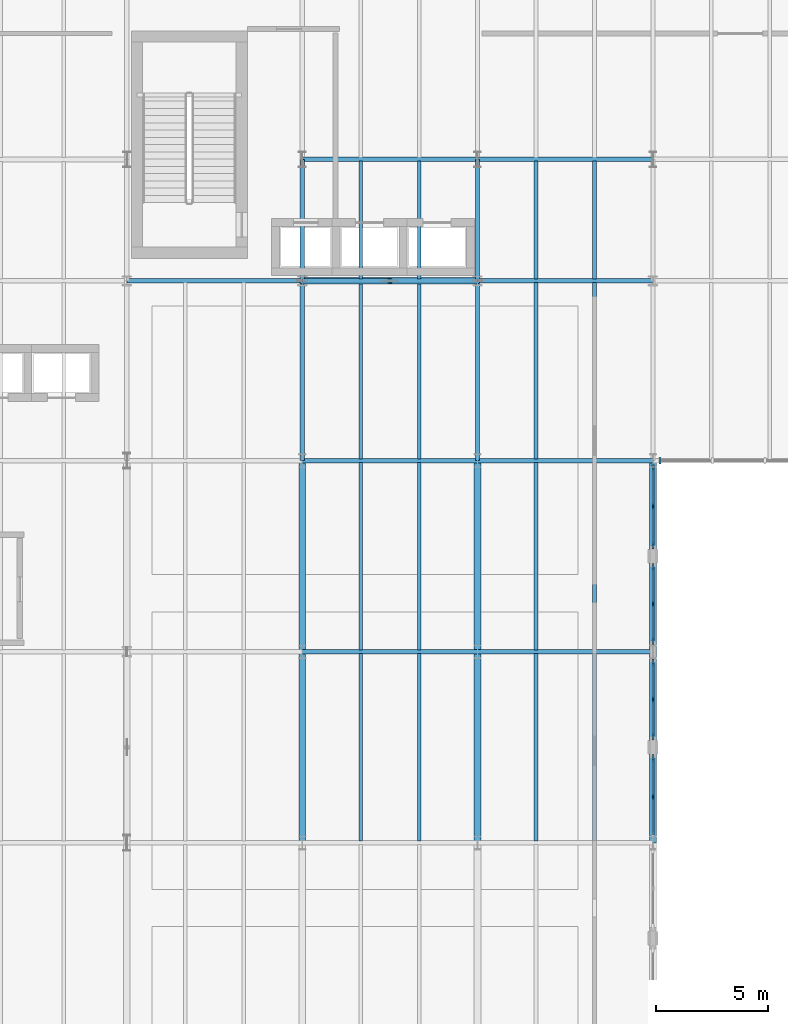
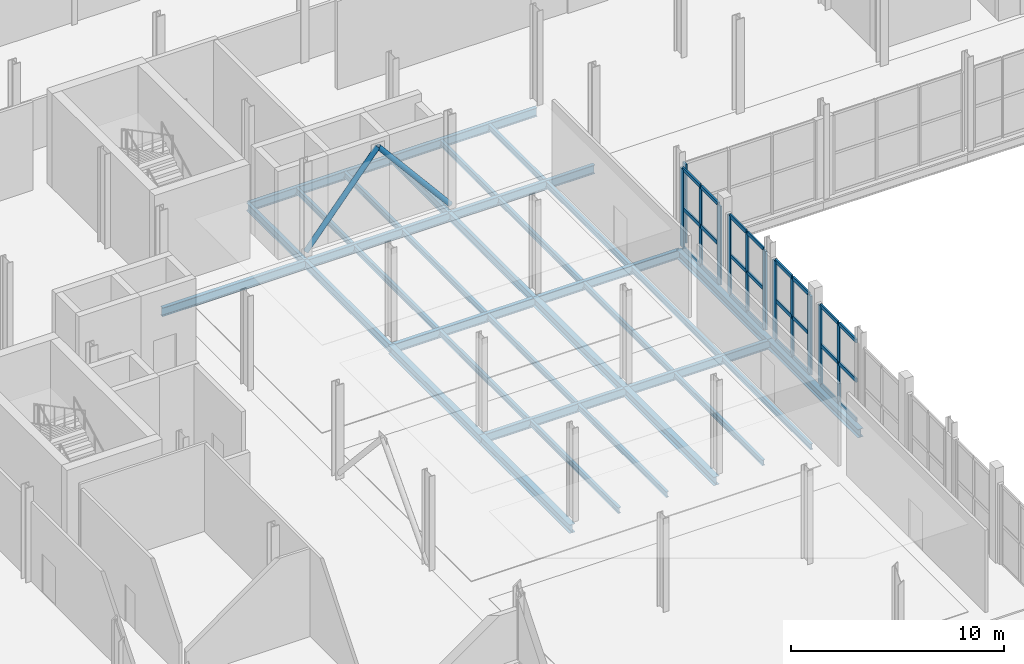
# One storey, part 25 of 78: 38 members, 35 beams, 5 elements without a shape of their own.
"""IFC4 building model written with IfcOpenShell, lengths in metres."""

from ifc_helpers import new_model, si_unit, direction, frame, origin, origin_2d, place, context, subcontext, project, spatial, rectangle, hollow_circle, i_section, extrude, material, layer, layer_set, material_profile, profile_set, type_object, element, aggregate, save


model = new_model("IFC4")

# Units and contexts
model_context = context("Model", 3, precision=1e-05, world=origin(), true_north=direction((0.0, 1.0)))
body_context = subcontext(model_context, "Body", "Model", "MODEL_VIEW")
ifc_project = project(units=[si_unit("LENGTHUNIT", "METRE"), si_unit("AREAUNIT", "SQUARE_METRE"), si_unit("VOLUMEUNIT", "CUBIC_METRE"), si_unit("PLANEANGLEUNIT", "RADIAN"), si_unit("MASSUNIT", "GRAM", prefix="KILO")], contexts=[model_context])

# Site, building, storey
site_placement = place(None, origin())
site = spatial("IfcSite", under=ifc_project, at=site_placement, CompositionType="ELEMENT")
building_placement = place(site_placement, origin())
building = spatial("IfcBuilding", under=site, at=building_placement, Name="Sefraquen Railside Congress Hotel", CompositionType="ELEMENT")
storey_placement = place(building_placement, frame((0.0, 0.0, 6.0)))
storey = spatial("IfcBuildingStorey", under=building, at=storey_placement, Name="L01", CompositionType="ELEMENT", Elevation=6.0)

# Beams
ifc_material_1 = material(Name="Steel S355JR", Category="steel")
ifc_material_profile_1 = material_profile(ifc_material_1, i_section(OverallWidth=0.18994140625, OverallDepth=0.449951171875, WebThickness=0.009521484375, FlangeThickness=0.0146484375, FilletRadius=0.02099609375, at=origin_2d()), Name="IPE 450")
ifc_profile_set_1 = profile_set([ifc_material_profile_1], Name="Steel S355JR")
beam_type_1 = type_object("IfcBeamType", Name="TB-BM-450", PredefinedType="BEAM", material=ifc_profile_set_1)
beam_1_placement = place(storey_placement, frame((33.0, 88.0, -0.52490234375), z_axis=(0.0, 1.0, 0.0), x_axis=(-1.0, 0.0, 0.0)))
element("IfcBeam", 1, at=beam_1_placement, inside=storey, type_object=beam_type_1, Name="Floor beam BM-L01-0544", PredefinedType="BEAM", context=body_context, shape_type="SweptSolid", body=[
    extrude(i_section(OverallWidth=0.18994140625, OverallDepth=0.449951171875, WebThickness=0.009521484375, FlangeThickness=0.0146484375, FilletRadius=0.02099609375, at=origin_2d()), origin(), (0.0, 0.0, 1.0), 8.0),
])
beam_2_placement = place(storey_placement, frame((33.0, 96.0, -0.52490234375), z_axis=(0.0, 1.0, 0.0), x_axis=(-1.0, 0.0, 0.0)))
element("IfcBeam", 2, at=beam_2_placement, inside=storey, type_object=beam_type_1, Name="Floor beam BM-L01-0545", PredefinedType="BEAM", context=body_context, shape_type="SweptSolid", body=[
    extrude(i_section(OverallWidth=0.18994140625, OverallDepth=0.449951171875, WebThickness=0.009521484375, FlangeThickness=0.0146484375, FilletRadius=0.02099609375, at=origin_2d()), origin(), (0.0, 0.0, 1.0), 5.39990234375),
])
beam_3_placement = place(storey_placement, frame((40.800048828125, 88.0, -0.52490234375), z_axis=(0.0, 1.0, 0.0), x_axis=(-1.0, 0.0, 0.0)))
element("IfcBeam", 3, at=beam_3_placement, inside=storey, type_object=beam_type_1, Name="Floor beam BM-L01-0555", PredefinedType="BEAM", context=body_context, shape_type="SweptSolid", body=[
    extrude(i_section(OverallWidth=0.18994140625, OverallDepth=0.449951171875, WebThickness=0.009521484375, FlangeThickness=0.0146484375, FilletRadius=0.02099609375, at=origin_2d()), origin(), (0.0, 0.0, 1.0), 8.0),
])
beam_4_placement = place(storey_placement, frame((40.800048828125, 96.0, -0.52490234375), z_axis=(0.0, 1.0, 0.0), x_axis=(-1.0, 0.0, 0.0)))
element("IfcBeam", 4, at=beam_4_placement, inside=storey, type_object=beam_type_1, Name="Floor beam BM-L01-0556", PredefinedType="BEAM", context=body_context, shape_type="SweptSolid", body=[
    extrude(i_section(OverallWidth=0.18994140625, OverallDepth=0.449951171875, WebThickness=0.009521484375, FlangeThickness=0.0146484375, FilletRadius=0.02099609375, at=origin_2d()), origin(), (0.0, 0.0, 1.0), 5.39990234375),
])
ifc_material_profile_2 = material_profile(ifc_material_1, i_section(OverallWidth=0.199951171875, OverallDepth=0.5, WebThickness=0.01025390625, FlangeThickness=0.01611328125, FilletRadius=0.02099609375, at=origin_2d()), Name="IPE 500")
ifc_profile_set_2 = profile_set([ifc_material_profile_2], Name="Steel S355JR")
beam_type_2 = type_object("IfcBeamType", Name="TB-BM-500", PredefinedType="BEAM", material=ifc_profile_set_2)
for number, where, z_axis, x_axis, name in (
    (5, (33.0, 79.5, -0.550048828125), (1.0, 0.0, 0.0), (0.0, 1.0, 0.0), "Primary girder BM-L01-0430"),
    (6, (40.800048828125, 79.5, -0.550048828125), (1.0, 0.0, 0.0), (0.0, 1.0, 0.0), "Primary girder BM-L01-0431"),
    (7, (33.0, 88.0, -0.550048828125), (1.0, 0.0, 0.0), (0.0, 1.0, 0.0), "Primary girder BM-L01-0437"),
    (8, (40.800048828125, 88.0, -0.550048828125), (1.0, 0.0, 0.0), (0.0, 1.0, 0.0), "Primary girder BM-L01-0438"),
    (9, (25.199951171875, 96.0, -0.550048828125), (1.0, 0.0, 0.0), (0.0, 1.0, 0.0), "Primary girder BM-L01-0451"),
    (10, (33.0, 96.0, -0.550048828125), (1.0, 0.0, 0.0), (0.0, 1.0, 0.0), "Primary girder BM-L01-0452"),
    (11, (40.800048828125, 96.0, -0.550048828125), (1.0, 0.0, 0.0), (0.0, 1.0, 0.0), "Primary girder BM-L01-0453"),
    (12, (33.0, 101.39990234375, -0.550048828125), (1.0, 0.0, 0.0), (0.0, 1.0, 0.0), "Primary girder BM-L01-0471"),
    (13, (40.800048828125, 101.39990234375, -0.550048828125), (1.0, 0.0, 0.0), (0.0, 1.0, 0.0), "Primary girder BM-L01-0472"),
):
    element("IfcBeam", number, at=place(storey_placement, frame(where, z_axis=z_axis, x_axis=x_axis)), inside=storey, type_object=beam_type_2, Name=name, PredefinedType="BEAM", context=body_context, shape_type="SweptSolid", body=[
        extrude(i_section(OverallWidth=0.199951171875, OverallDepth=0.5, WebThickness=0.01025390625, FlangeThickness=0.01611328125, FilletRadius=0.02099609375, at=origin_2d()), origin(), (0.0, 0.0, 1.0), 7.800048828125),
    ])
ifc_material_profile_3 = material_profile(ifc_material_1, i_section(OverallWidth=0.300048828125, OverallDepth=0.489990234375, WebThickness=0.011962890625, FlangeThickness=0.02294921875, FilletRadius=0.027099609375, at=origin_2d()), Name="HEA 500")
ifc_profile_set_3 = profile_set([ifc_material_profile_3], Name="Steel S355JR")
beam_type_3 = type_object("IfcBeamType", Name="TB-GIR-500", PredefinedType="T_BEAM", material=ifc_profile_set_3)
for number, where, z_axis, x_axis, name in (
    (14, (33.0, 71.0, -0.544921875), (0.0, 1.0, 0.0), (-1.0, 0.0, 0.0), "Floor beam BM-L01-0542"),
    (15, (33.0, 79.5, -0.544921875), (0.0, 1.0, 0.0), (-1.0, 0.0, 0.0), "Floor beam BM-L01-0543"),
    (16, (40.800048828125, 71.0, -0.544921875), (0.0, 1.0, 0.0), (-1.0, 0.0, 0.0), "Floor beam BM-L01-0553"),
    (17, (40.800048828125, 79.5, -0.544921875), (0.0, 1.0, 0.0), (-1.0, 0.0, 0.0), "Floor beam BM-L01-0554"),
    (18, (48.60009765625, 71.0, -0.544921875), (0.0, 1.0, 0.0), (-1.0, 0.0, 0.0), "Floor beam BM-L01-0562"),
    (19, (48.60009765625, 79.5, -0.544921875), (0.0, 1.0, 0.0), (-1.0, 0.0, 0.0), "Floor beam BM-L01-0563"),
):
    element("IfcBeam", number, at=place(storey_placement, frame(where, z_axis=z_axis, x_axis=x_axis)), inside=storey, type_object=beam_type_3, Name=name, PredefinedType="T_BEAM", context=body_context, shape_type="SweptSolid", body=[
        extrude(i_section(OverallWidth=0.300048828125, OverallDepth=0.489990234375, WebThickness=0.011962890625, FlangeThickness=0.02294921875, FilletRadius=0.027099609375, at=origin_2d()), origin(), (0.0, 0.0, 1.0), 8.5),
    ])
ifc_material_profile_4 = material_profile(ifc_material_1, i_section(OverallWidth=0.159912109375, OverallDepth=0.330078125, WebThickness=0.007568359375, FlangeThickness=0.011474609375, FilletRadius=0.01806640625, at=origin_2d()), Name="IPE 330")
ifc_profile_set_4 = profile_set([ifc_material_profile_4], Name="Steel S355JR")
beam_type_4 = type_object("IfcBeamType", Name="TB-JST-330", PredefinedType="JOIST", material=ifc_profile_set_4)
for number, where, z_axis, x_axis, name in (
    (20, (35.60009765625, 71.080078125, -0.465087890625), (0.0, 1.0, 0.0), (-1.0, 0.0, 0.0), "Composite floor joist BM-L01-J0256"),
    (21, (38.199951171875, 71.080078125, -0.465087890625), (0.0, 1.0, 0.0), (-1.0, 0.0, 0.0), "Composite floor joist BM-L01-J0257"),
    (22, (35.60009765625, 79.580078125, -0.465087890625), (0.0, 1.0, 0.0), (-1.0, 0.0, 0.0), "Composite floor joist BM-L01-J0258"),
    (23, (38.199951171875, 79.580078125, -0.465087890625), (0.0, 1.0, 0.0), (-1.0, 0.0, 0.0), "Composite floor joist BM-L01-J0259"),
):
    element("IfcBeam", number, at=place(storey_placement, frame(where, z_axis=z_axis, x_axis=x_axis)), inside=storey, type_object=beam_type_4, Name=name, PredefinedType="JOIST", context=body_context, shape_type="SweptSolid", body=[
        extrude(i_section(OverallWidth=0.159912109375, OverallDepth=0.330078125, WebThickness=0.007568359375, FlangeThickness=0.011474609375, FilletRadius=0.01806640625, at=origin_2d()), origin(), (0.0, 0.0, 1.0), 8.33984375),
    ])
for number, where, z_axis, x_axis, name in (
    (24, (35.60009765625, 88.080078125, -0.465087890625), (0.0, 1.0, 0.0), (-1.0, 0.0, 0.0), "Composite floor joist BM-L01-J0260"),
    (25, (38.199951171875, 88.080078125, -0.465087890625), (0.0, 1.0, 0.0), (-1.0, 0.0, 0.0), "Composite floor joist BM-L01-J0261"),
):
    element("IfcBeam", number, at=place(storey_placement, frame(where, z_axis=z_axis, x_axis=x_axis)), inside=storey, type_object=beam_type_4, Name=name, PredefinedType="JOIST", context=body_context, shape_type="SweptSolid", body=[
        extrude(i_section(OverallWidth=0.159912109375, OverallDepth=0.330078125, WebThickness=0.007568359375, FlangeThickness=0.011474609375, FilletRadius=0.01806640625, at=origin_2d()), origin(), (0.0, 0.0, 1.0), 7.83984375),
    ])
for number, where, z_axis, x_axis, name in (
    (26, (35.60009765625, 96.080078125, -0.465087890625), (0.0, 1.0, 0.0), (-1.0, 0.0, 0.0), "Composite floor joist BM-L01-J0262"),
    (27, (38.199951171875, 96.080078125, -0.465087890625), (0.0, 1.0, 0.0), (-1.0, 0.0, 0.0), "Composite floor joist BM-L01-J0263"),
):
    element("IfcBeam", number, at=place(storey_placement, frame(where, z_axis=z_axis, x_axis=x_axis)), inside=storey, type_object=beam_type_4, Name=name, PredefinedType="JOIST", context=body_context, shape_type="SweptSolid", body=[
        extrude(i_section(OverallWidth=0.159912109375, OverallDepth=0.330078125, WebThickness=0.007568359375, FlangeThickness=0.011474609375, FilletRadius=0.01806640625, at=origin_2d()), origin(), (0.0, 0.0, 1.0), 5.239990234375),
    ])
for number, where, z_axis, x_axis, name in (
    (28, (43.39990234375, 71.080078125, -0.465087890625), (0.0, 1.0, 0.0), (-1.0, 0.0, 0.0), "Composite floor joist BM-L01-J0274"),
    (29, (46.0, 71.080078125, -0.465087890625), (0.0, 1.0, 0.0), (-1.0, 0.0, 0.0), "Composite floor joist BM-L01-J0275"),
    (30, (43.39990234375, 79.580078125, -0.465087890625), (0.0, 1.0, 0.0), (-1.0, 0.0, 0.0), "Composite floor joist BM-L01-J0276"),
    (31, (46.0, 79.580078125, -0.465087890625), (0.0, 1.0, 0.0), (-1.0, 0.0, 0.0), "Composite floor joist BM-L01-J0277"),
):
    element("IfcBeam", number, at=place(storey_placement, frame(where, z_axis=z_axis, x_axis=x_axis)), inside=storey, type_object=beam_type_4, Name=name, PredefinedType="JOIST", context=body_context, shape_type="SweptSolid", body=[
        extrude(i_section(OverallWidth=0.159912109375, OverallDepth=0.330078125, WebThickness=0.007568359375, FlangeThickness=0.011474609375, FilletRadius=0.01806640625, at=origin_2d()), origin(), (0.0, 0.0, 1.0), 8.33984375),
    ])
for number, where, z_axis, x_axis, name in (
    (32, (43.39990234375, 88.080078125, -0.465087890625), (0.0, 1.0, 0.0), (-1.0, 0.0, 0.0), "Composite floor joist BM-L01-J0278"),
    (33, (46.0, 88.080078125, -0.465087890625), (0.0, 1.0, 0.0), (-1.0, 0.0, 0.0), "Composite floor joist BM-L01-J0279"),
):
    element("IfcBeam", number, at=place(storey_placement, frame(where, z_axis=z_axis, x_axis=x_axis)), inside=storey, type_object=beam_type_4, Name=name, PredefinedType="JOIST", context=body_context, shape_type="SweptSolid", body=[
        extrude(i_section(OverallWidth=0.159912109375, OverallDepth=0.330078125, WebThickness=0.007568359375, FlangeThickness=0.011474609375, FilletRadius=0.01806640625, at=origin_2d()), origin(), (0.0, 0.0, 1.0), 7.83984375),
    ])
for number, where, z_axis, x_axis, name in (
    (34, (43.39990234375, 96.080078125, -0.465087890625), (0.0, 1.0, 0.0), (-1.0, 0.0, 0.0), "Composite floor joist BM-L01-J0280"),
    (35, (46.0, 96.080078125, -0.465087890625), (0.0, 1.0, 0.0), (-1.0, 0.0, 0.0), "Composite floor joist BM-L01-J0281"),
):
    element("IfcBeam", number, at=place(storey_placement, frame(where, z_axis=z_axis, x_axis=x_axis)), inside=storey, type_object=beam_type_4, Name=name, PredefinedType="JOIST", context=body_context, shape_type="SweptSolid", body=[
        extrude(i_section(OverallWidth=0.159912109375, OverallDepth=0.330078125, WebThickness=0.007568359375, FlangeThickness=0.011474609375, FilletRadius=0.01806640625, at=origin_2d()), origin(), (0.0, 0.0, 1.0), 5.239990234375),
    ])

# Members
ifc_material_2 = material(Name="Steel S355J2", Category="steel")
ifc_material_profile_5 = material_profile(ifc_material_2, hollow_circle(Radius=0.136474609375, WallThickness=0.012451171875, at=origin_2d()), Name="CHS 273x12.5")
ifc_profile_set_5 = profile_set([ifc_material_profile_5], Name="Steel S355J2")
member_type_1 = type_object("IfcMemberType", Name="TM-BR-273", PredefinedType="BRACE", material=ifc_profile_set_5)
for number, where, z_axis, x_axis, name in (
    (36, (33.0, 96.0, 0.14990234375), (0.642590931673, 0.0, 0.766209432552), (0.0, 1.0, 0.0), "Chevron braced-frame diagonal BF1-L L01"),
    (37, (40.800048828125, 96.0, 0.14990234375), (-0.642614547277, 0.0, 0.766189626416), (0.0, -1.0, 0.0), "Chevron braced-frame diagonal BF1-R L01"),
):
    element("IfcMember", number, at=place(storey_placement, frame(where, z_axis=z_axis, x_axis=x_axis)), inside=storey, type_object=member_type_1, Name=name, PredefinedType="BRACE", context=body_context, shape_type="SweptSolid", body=[
        extrude(hollow_circle(Radius=0.136474609375, WallThickness=0.012451171875, at=origin_2d()), origin(), (0.0, 0.0, 1.0), 6.069091796875),
    ])

# Curtain wall, member
ifc_material_3 = material(Name="Thermally broken anodised aluminium and low-E double glazing", Category="aluminium")
ifc_layer_1 = layer(ifc_material_3, 0.199951171875)
ifc_layer_set_1 = layer_set([ifc_layer_1], Name="Thermally broken anodised aluminium and low-E double glazing")
curtain_wall_type_1 = type_object("IfcCurtainWallType", Name="TCW-UCW-15", PredefinedType="USERDEFINED", material=ifc_layer_set_1)
curtain_wall_1_placement = place(storey_placement, origin())
curtain_wall_1 = element("IfcCurtainWall", 38, at=curtain_wall_1_placement, inside=storey, type_object=curtain_wall_type_1, Name="Courtyard west gallery curtain wall L01", ObjectType="UNITISED CURTAIN WALL", PredefinedType="USERDEFINED")
ifc_material_4 = material(Name="Thermally broken anodised aluminium 6063-T6", Category="aluminium")
ifc_material_profile_6 = material_profile(ifc_material_4, rectangle(XDim=0.080078125, YDim=0.239990234375, at=origin_2d()), Name="CWM 80x240")
ifc_profile_set_6 = profile_set([ifc_material_profile_6], Name="Thermally broken anodised aluminium 6063-T6")
member_type_2 = type_object("IfcMemberType", Name="TM-CWM-05", PredefinedType="MULLION", material=ifc_profile_set_6)
member_1_placement = place(storey_placement, frame((48.60009765625, 73.0400390625, 0.0), z_axis=(0.0, 0.0, 1.0), x_axis=(1.0, 0.0, 0.0)))
member_1 = element("IfcMember", 39, at=member_1_placement, type_object=member_type_2, Name="CW-L01-047 mullion 2", PredefinedType="MULLION", context=body_context, shape_type="SweptSolid", body=[
    extrude(rectangle(XDim=0.080078125, YDim=0.239990234375, at=origin_2d()), origin(), (0.0, 0.0, 1.0), 4.5),
])

curtain_wall_2_placement = place(storey_placement, origin())
curtain_wall_2 = element("IfcCurtainWall", 40, at=curtain_wall_2_placement, inside=storey, type_object=curtain_wall_type_1, Name="Courtyard west gallery curtain wall L01 bay 2", ObjectType="UNITISED CURTAIN WALL", PredefinedType="USERDEFINED")
member_2_placement = place(storey_placement, frame((48.60009765625, 77.375, 0.0), z_axis=(0.0, 0.0, 1.0), x_axis=(1.0, 0.0, 0.0)))
member_2 = element("IfcMember", 41, at=member_2_placement, type_object=member_type_2, Name="CW-L01-047-S2 mullion 2", PredefinedType="MULLION", context=body_context, shape_type="SweptSolid", body=[
    extrude(rectangle(XDim=0.080078125, YDim=0.239990234375, at=origin_2d()), origin(), (0.0, 0.0, 1.0), 4.5),
])

curtain_wall_3_placement = place(storey_placement, origin())
curtain_wall_3 = element("IfcCurtainWall", 42, at=curtain_wall_3_placement, inside=storey, type_object=curtain_wall_type_1, Name="Courtyard west gallery curtain wall L01 bay 3", ObjectType="UNITISED CURTAIN WALL", PredefinedType="USERDEFINED")
member_3_placement = place(storey_placement, frame((48.60009765625, 81.625, 0.0), z_axis=(0.0, 0.0, 1.0), x_axis=(1.0, 0.0, 0.0)))
member_3 = element("IfcMember", 43, at=member_3_placement, type_object=member_type_2, Name="CW-L01-047-S3 mullion 2", PredefinedType="MULLION", context=body_context, shape_type="SweptSolid", body=[
    extrude(rectangle(XDim=0.080078125, YDim=0.239990234375, at=origin_2d()), origin(), (0.0, 0.0, 1.0), 4.5),
])

curtain_wall_4_placement = place(storey_placement, origin())
curtain_wall_4 = element("IfcCurtainWall", 44, at=curtain_wall_4_placement, inside=storey, type_object=curtain_wall_type_1, Name="Courtyard west gallery curtain wall L01 bay 4", ObjectType="UNITISED CURTAIN WALL", PredefinedType="USERDEFINED")
member_4_placement = place(storey_placement, frame((48.60009765625, 85.9599609375, 0.0), z_axis=(0.0, 0.0, 1.0), x_axis=(1.0, 0.0, 0.0)))
member_4 = element("IfcMember", 45, at=member_4_placement, type_object=member_type_2, Name="CW-L01-047-S4 mullion 2", PredefinedType="MULLION", context=body_context, shape_type="SweptSolid", body=[
    extrude(rectangle(XDim=0.080078125, YDim=0.239990234375, at=origin_2d()), origin(), (0.0, 0.0, 1.0), 4.5),
])

ifc_layer_2 = layer(ifc_material_3, 0.199951171875)
ifc_layer_set_2 = layer_set([ifc_layer_2], Name="Thermally broken anodised aluminium and low-E double glazing")
curtain_wall_type_2 = type_object("IfcCurtainWallType", Name="TCW-UCW-10", PredefinedType="USERDEFINED", material=ifc_layer_set_2)
curtain_wall_5_placement = place(storey_placement, origin())
curtain_wall_5 = element("IfcCurtainWall", 46, at=curtain_wall_5_placement, inside=storey, type_object=curtain_wall_type_2, Name="Courtyard north gallery curtain wall L01-1", ObjectType="UNITISED CURTAIN WALL", PredefinedType="USERDEFINED")
ifc_material_profile_7 = material_profile(ifc_material_4, rectangle(XDim=0.094970703125, YDim=0.300048828125, at=origin_2d()), Name="CWM 95x300")
ifc_profile_set_7 = profile_set([ifc_material_profile_7], Name="Thermally broken anodised aluminium 6063-T6")
member_type_3 = type_object("IfcMemberType", Name="TM-CWM-08", PredefinedType="MULLION", material=ifc_profile_set_7)
member_5_placement = place(storey_placement, frame((48.909912109375, 88.0, 0.0), z_axis=(0.0, 0.0, 1.0), x_axis=(1.0, 0.0, 0.0)))
member_5 = element("IfcMember", 47, at=member_5_placement, type_object=member_type_3, Name="CW-L01-042 mullion 1", PredefinedType="MULLION", context=body_context, shape_type="SweptSolid", body=[
    extrude(rectangle(XDim=0.094970703125, YDim=0.300048828125, at=origin_2d()), origin(), (0.0, 0.0, 1.0), 4.5),
])
aggregate(curtain_wall_5, [member_5])

# Member
member_6_placement = place(storey_placement, frame((48.60009765625, 74.77001953125, 0.0), z_axis=(0.0, 0.0, 1.0), x_axis=(1.0, 0.0, 0.0)))
member_6 = element("IfcMember", 48, at=member_6_placement, type_object=member_type_3, Name="CW-L01-047 mullion 3", PredefinedType="MULLION", context=body_context, shape_type="SweptSolid", body=[
    extrude(rectangle(XDim=0.094970703125, YDim=0.300048828125, at=origin_2d()), origin(), (0.0, 0.0, 1.0), 4.5),
])

member_7_placement = place(storey_placement, frame((48.60009765625, 75.72998046875, 0.0), z_axis=(0.0, 0.0, 1.0), x_axis=(1.0, 0.0, 0.0)))
member_7 = element("IfcMember", 49, at=member_7_placement, type_object=member_type_3, Name="CW-L01-047-S2 mullion 1", PredefinedType="MULLION", context=body_context, shape_type="SweptSolid", body=[
    extrude(rectangle(XDim=0.094970703125, YDim=0.300048828125, at=origin_2d()), origin(), (0.0, 0.0, 1.0), 4.5),
])

member_8_placement = place(storey_placement, frame((48.60009765625, 79.02001953125, 0.0), z_axis=(0.0, 0.0, 1.0), x_axis=(1.0, 0.0, 0.0)))
member_8 = element("IfcMember", 50, at=member_8_placement, type_object=member_type_3, Name="CW-L01-047-S2 mullion 3", PredefinedType="MULLION", context=body_context, shape_type="SweptSolid", body=[
    extrude(rectangle(XDim=0.094970703125, YDim=0.300048828125, at=origin_2d()), origin(), (0.0, 0.0, 1.0), 4.5),
])

member_9_placement = place(storey_placement, frame((48.60009765625, 79.97998046875, 0.0), z_axis=(0.0, 0.0, 1.0), x_axis=(1.0, 0.0, 0.0)))
member_9 = element("IfcMember", 51, at=member_9_placement, type_object=member_type_3, Name="CW-L01-047-S3 mullion 1", PredefinedType="MULLION", context=body_context, shape_type="SweptSolid", body=[
    extrude(rectangle(XDim=0.094970703125, YDim=0.300048828125, at=origin_2d()), origin(), (0.0, 0.0, 1.0), 4.5),
])

member_10_placement = place(storey_placement, frame((48.60009765625, 83.27001953125, 0.0), z_axis=(0.0, 0.0, 1.0), x_axis=(1.0, 0.0, 0.0)))
member_10 = element("IfcMember", 52, at=member_10_placement, type_object=member_type_3, Name="CW-L01-047-S3 mullion 3", PredefinedType="MULLION", context=body_context, shape_type="SweptSolid", body=[
    extrude(rectangle(XDim=0.094970703125, YDim=0.300048828125, at=origin_2d()), origin(), (0.0, 0.0, 1.0), 4.5),
])

member_11_placement = place(storey_placement, frame((48.60009765625, 84.22998046875, 0.0), z_axis=(0.0, 0.0, 1.0), x_axis=(1.0, 0.0, 0.0)))
member_11 = element("IfcMember", 53, at=member_11_placement, type_object=member_type_3, Name="CW-L01-047-S4 mullion 1", PredefinedType="MULLION", context=body_context, shape_type="SweptSolid", body=[
    extrude(rectangle(XDim=0.094970703125, YDim=0.300048828125, at=origin_2d()), origin(), (0.0, 0.0, 1.0), 4.5),
])

member_12_placement = place(storey_placement, frame((48.60009765625, 87.68994140625, 0.0), z_axis=(0.0, 0.0, 1.0), x_axis=(1.0, 0.0, 0.0)))
member_12 = element("IfcMember", 54, at=member_12_placement, type_object=member_type_3, Name="CW-L01-047-S4 mullion 3", PredefinedType="MULLION", context=body_context, shape_type="SweptSolid", body=[
    extrude(rectangle(XDim=0.094970703125, YDim=0.300048828125, at=origin_2d()), origin(), (0.0, 0.0, 1.0), 4.5),
])

ifc_material_profile_8 = material_profile(ifc_material_4, rectangle(XDim=0.090087890625, YDim=0.2099609375, at=origin_2d()), Name="CWT 90x210")
ifc_profile_set_8 = profile_set([ifc_material_profile_8], Name="Thermally broken anodised aluminium 6063-T6")
member_type_4 = type_object("IfcMemberType", Name="TM-CWT-07", PredefinedType="USERDEFINED", material=ifc_profile_set_8)
member_13_placement = place(storey_placement, frame((48.60009765625, 71.35498046875, 0.0), z_axis=(0.0, 1.0, 0.0), x_axis=(-1.0, 0.0, 0.0)))
member_13 = element("IfcMember", 55, at=member_13_placement, type_object=member_type_4, Name="CW-L01-047 transom 1.1", ObjectType="TRANSOM", PredefinedType="USERDEFINED", context=body_context, shape_type="SweptSolid", body=[
    extrude(rectangle(XDim=0.090087890625, YDim=0.2099609375, at=origin_2d()), origin(), (0.0, 0.0, 1.0), 1.64013671875),
])

member_14_placement = place(storey_placement, frame((48.60009765625, 73.0849609375, 0.0), z_axis=(0.0, 1.0, 0.0), x_axis=(-1.0, 0.0, 0.0)))
member_14 = element("IfcMember", 56, at=member_14_placement, type_object=member_type_4, Name="CW-L01-047 transom 1.2", ObjectType="TRANSOM", PredefinedType="USERDEFINED", context=body_context, shape_type="SweptSolid", body=[
    extrude(rectangle(XDim=0.090087890625, YDim=0.2099609375, at=origin_2d()), origin(), (0.0, 0.0, 1.0), 1.64013671875),
])

member_15_placement = place(storey_placement, frame((48.60009765625, 71.35498046875, 2.25), z_axis=(0.0, 1.0, 0.0), x_axis=(-1.0, 0.0, 0.0)))
member_15 = element("IfcMember", 57, at=member_15_placement, type_object=member_type_4, Name="CW-L01-047 transom 2.1", ObjectType="TRANSOM", PredefinedType="USERDEFINED", context=body_context, shape_type="SweptSolid", body=[
    extrude(rectangle(XDim=0.090087890625, YDim=0.2099609375, at=origin_2d()), origin(), (0.0, 0.0, 1.0), 1.64013671875),
])

member_16_placement = place(storey_placement, frame((48.60009765625, 73.0849609375, 2.25), z_axis=(0.0, 1.0, 0.0), x_axis=(-1.0, 0.0, 0.0)))
member_16 = element("IfcMember", 58, at=member_16_placement, type_object=member_type_4, Name="CW-L01-047 transom 2.2", ObjectType="TRANSOM", PredefinedType="USERDEFINED", context=body_context, shape_type="SweptSolid", body=[
    extrude(rectangle(XDim=0.090087890625, YDim=0.2099609375, at=origin_2d()), origin(), (0.0, 0.0, 1.0), 1.64013671875),
])

member_17_placement = place(storey_placement, frame((48.60009765625, 71.35498046875, 4.5), z_axis=(0.0, 1.0, 0.0), x_axis=(-1.0, 0.0, 0.0)))
member_17 = element("IfcMember", 59, at=member_17_placement, type_object=member_type_4, Name="CW-L01-047 transom 3.1", ObjectType="TRANSOM", PredefinedType="USERDEFINED", context=body_context, shape_type="SweptSolid", body=[
    extrude(rectangle(XDim=0.090087890625, YDim=0.2099609375, at=origin_2d()), origin(), (0.0, 0.0, 1.0), 1.64013671875),
])

member_18_placement = place(storey_placement, frame((48.60009765625, 73.0849609375, 4.5), z_axis=(0.0, 1.0, 0.0), x_axis=(-1.0, 0.0, 0.0)))
member_18 = element("IfcMember", 60, at=member_18_placement, type_object=member_type_4, Name="CW-L01-047 transom 3.2", ObjectType="TRANSOM", PredefinedType="USERDEFINED", context=body_context, shape_type="SweptSolid", body=[
    extrude(rectangle(XDim=0.090087890625, YDim=0.2099609375, at=origin_2d()), origin(), (0.0, 0.0, 1.0), 1.64013671875),
])

aggregate(curtain_wall_1, [member_1, member_6, member_13, member_14, member_15, member_16, member_17, member_18])

member_19_placement = place(storey_placement, frame((48.60009765625, 75.77490234375, 0.0), z_axis=(0.0, 1.0, 0.0), x_axis=(-1.0, 0.0, 0.0)))
member_19 = element("IfcMember", 61, at=member_19_placement, type_object=member_type_4, Name="CW-L01-047-S2 transom 1.1", ObjectType="TRANSOM", PredefinedType="USERDEFINED", context=body_context, shape_type="SweptSolid", body=[
    extrude(rectangle(XDim=0.090087890625, YDim=0.2099609375, at=origin_2d()), origin(), (0.0, 0.0, 1.0), 1.55517578125),
])

member_20_placement = place(storey_placement, frame((48.60009765625, 77.419921875, 0.0), z_axis=(0.0, 1.0, 0.0), x_axis=(-1.0, 0.0, 0.0)))
member_20 = element("IfcMember", 62, at=member_20_placement, type_object=member_type_4, Name="CW-L01-047-S2 transom 1.2", ObjectType="TRANSOM", PredefinedType="USERDEFINED", context=body_context, shape_type="SweptSolid", body=[
    extrude(rectangle(XDim=0.090087890625, YDim=0.2099609375, at=origin_2d()), origin(), (0.0, 0.0, 1.0), 1.55517578125),
])

member_21_placement = place(storey_placement, frame((48.60009765625, 75.77490234375, 2.25), z_axis=(0.0, 1.0, 0.0), x_axis=(-1.0, 0.0, 0.0)))
member_21 = element("IfcMember", 63, at=member_21_placement, type_object=member_type_4, Name="CW-L01-047-S2 transom 2.1", ObjectType="TRANSOM", PredefinedType="USERDEFINED", context=body_context, shape_type="SweptSolid", body=[
    extrude(rectangle(XDim=0.090087890625, YDim=0.2099609375, at=origin_2d()), origin(), (0.0, 0.0, 1.0), 1.55517578125),
])

member_22_placement = place(storey_placement, frame((48.60009765625, 77.419921875, 2.25), z_axis=(0.0, 1.0, 0.0), x_axis=(-1.0, 0.0, 0.0)))
member_22 = element("IfcMember", 64, at=member_22_placement, type_object=member_type_4, Name="CW-L01-047-S2 transom 2.2", ObjectType="TRANSOM", PredefinedType="USERDEFINED", context=body_context, shape_type="SweptSolid", body=[
    extrude(rectangle(XDim=0.090087890625, YDim=0.2099609375, at=origin_2d()), origin(), (0.0, 0.0, 1.0), 1.55517578125),
])

member_23_placement = place(storey_placement, frame((48.60009765625, 75.77490234375, 4.5), z_axis=(0.0, 1.0, 0.0), x_axis=(-1.0, 0.0, 0.0)))
member_23 = element("IfcMember", 65, at=member_23_placement, type_object=member_type_4, Name="CW-L01-047-S2 transom 3.1", ObjectType="TRANSOM", PredefinedType="USERDEFINED", context=body_context, shape_type="SweptSolid", body=[
    extrude(rectangle(XDim=0.090087890625, YDim=0.2099609375, at=origin_2d()), origin(), (0.0, 0.0, 1.0), 1.55517578125),
])

member_24_placement = place(storey_placement, frame((48.60009765625, 77.419921875, 4.5), z_axis=(0.0, 1.0, 0.0), x_axis=(-1.0, 0.0, 0.0)))
member_24 = element("IfcMember", 66, at=member_24_placement, type_object=member_type_4, Name="CW-L01-047-S2 transom 3.2", ObjectType="TRANSOM", PredefinedType="USERDEFINED", context=body_context, shape_type="SweptSolid", body=[
    extrude(rectangle(XDim=0.090087890625, YDim=0.2099609375, at=origin_2d()), origin(), (0.0, 0.0, 1.0), 1.55517578125),
])

aggregate(curtain_wall_2, [member_7, member_2, member_8, member_19, member_20, member_21, member_22, member_23, member_24])

member_25_placement = place(storey_placement, frame((48.60009765625, 80.02490234375, 0.0), z_axis=(0.0, 1.0, 0.0), x_axis=(-1.0, 0.0, 0.0)))
member_25 = element("IfcMember", 67, at=member_25_placement, type_object=member_type_4, Name="CW-L01-047-S3 transom 1.1", ObjectType="TRANSOM", PredefinedType="USERDEFINED", context=body_context, shape_type="SweptSolid", body=[
    extrude(rectangle(XDim=0.090087890625, YDim=0.2099609375, at=origin_2d()), origin(), (0.0, 0.0, 1.0), 1.55517578125),
])

member_26_placement = place(storey_placement, frame((48.60009765625, 81.669921875, 0.0), z_axis=(0.0, 1.0, 0.0), x_axis=(-1.0, 0.0, 0.0)))
member_26 = element("IfcMember", 68, at=member_26_placement, type_object=member_type_4, Name="CW-L01-047-S3 transom 1.2", ObjectType="TRANSOM", PredefinedType="USERDEFINED", context=body_context, shape_type="SweptSolid", body=[
    extrude(rectangle(XDim=0.090087890625, YDim=0.2099609375, at=origin_2d()), origin(), (0.0, 0.0, 1.0), 1.55517578125),
])

member_27_placement = place(storey_placement, frame((48.60009765625, 80.02490234375, 2.25), z_axis=(0.0, 1.0, 0.0), x_axis=(-1.0, 0.0, 0.0)))
member_27 = element("IfcMember", 69, at=member_27_placement, type_object=member_type_4, Name="CW-L01-047-S3 transom 2.1", ObjectType="TRANSOM", PredefinedType="USERDEFINED", context=body_context, shape_type="SweptSolid", body=[
    extrude(rectangle(XDim=0.090087890625, YDim=0.2099609375, at=origin_2d()), origin(), (0.0, 0.0, 1.0), 1.55517578125),
])

member_28_placement = place(storey_placement, frame((48.60009765625, 81.669921875, 2.25), z_axis=(0.0, 1.0, 0.0), x_axis=(-1.0, 0.0, 0.0)))
member_28 = element("IfcMember", 70, at=member_28_placement, type_object=member_type_4, Name="CW-L01-047-S3 transom 2.2", ObjectType="TRANSOM", PredefinedType="USERDEFINED", context=body_context, shape_type="SweptSolid", body=[
    extrude(rectangle(XDim=0.090087890625, YDim=0.2099609375, at=origin_2d()), origin(), (0.0, 0.0, 1.0), 1.55517578125),
])

member_29_placement = place(storey_placement, frame((48.60009765625, 80.02490234375, 4.5), z_axis=(0.0, 1.0, 0.0), x_axis=(-1.0, 0.0, 0.0)))
member_29 = element("IfcMember", 71, at=member_29_placement, type_object=member_type_4, Name="CW-L01-047-S3 transom 3.1", ObjectType="TRANSOM", PredefinedType="USERDEFINED", context=body_context, shape_type="SweptSolid", body=[
    extrude(rectangle(XDim=0.090087890625, YDim=0.2099609375, at=origin_2d()), origin(), (0.0, 0.0, 1.0), 1.55517578125),
])

member_30_placement = place(storey_placement, frame((48.60009765625, 81.669921875, 4.5), z_axis=(0.0, 1.0, 0.0), x_axis=(-1.0, 0.0, 0.0)))
member_30 = element("IfcMember", 72, at=member_30_placement, type_object=member_type_4, Name="CW-L01-047-S3 transom 3.2", ObjectType="TRANSOM", PredefinedType="USERDEFINED", context=body_context, shape_type="SweptSolid", body=[
    extrude(rectangle(XDim=0.090087890625, YDim=0.2099609375, at=origin_2d()), origin(), (0.0, 0.0, 1.0), 1.55517578125),
])

aggregate(curtain_wall_3, [member_9, member_3, member_10, member_25, member_26, member_27, member_28, member_29, member_30])

member_31_placement = place(storey_placement, frame((48.60009765625, 84.27490234375, 0.0), z_axis=(0.0, 1.0, 0.0), x_axis=(-1.0, 0.0, 0.0)))
member_31 = element("IfcMember", 73, at=member_31_placement, type_object=member_type_4, Name="CW-L01-047-S4 transom 1.1", ObjectType="TRANSOM", PredefinedType="USERDEFINED", context=body_context, shape_type="SweptSolid", body=[
    extrude(rectangle(XDim=0.090087890625, YDim=0.2099609375, at=origin_2d()), origin(), (0.0, 0.0, 1.0), 1.64013671875),
])

member_32_placement = place(storey_placement, frame((48.60009765625, 86.0048828125, 0.0), z_axis=(0.0, 1.0, 0.0), x_axis=(-1.0, 0.0, 0.0)))
member_32 = element("IfcMember", 74, at=member_32_placement, type_object=member_type_4, Name="CW-L01-047-S4 transom 1.2", ObjectType="TRANSOM", PredefinedType="USERDEFINED", context=body_context, shape_type="SweptSolid", body=[
    extrude(rectangle(XDim=0.090087890625, YDim=0.2099609375, at=origin_2d()), origin(), (0.0, 0.0, 1.0), 1.64013671875),
])

member_33_placement = place(storey_placement, frame((48.60009765625, 84.27490234375, 2.25), z_axis=(0.0, 1.0, 0.0), x_axis=(-1.0, 0.0, 0.0)))
member_33 = element("IfcMember", 75, at=member_33_placement, type_object=member_type_4, Name="CW-L01-047-S4 transom 2.1", ObjectType="TRANSOM", PredefinedType="USERDEFINED", context=body_context, shape_type="SweptSolid", body=[
    extrude(rectangle(XDim=0.090087890625, YDim=0.2099609375, at=origin_2d()), origin(), (0.0, 0.0, 1.0), 1.64013671875),
])

member_34_placement = place(storey_placement, frame((48.60009765625, 86.0048828125, 2.25), z_axis=(0.0, 1.0, 0.0), x_axis=(-1.0, 0.0, 0.0)))
member_34 = element("IfcMember", 76, at=member_34_placement, type_object=member_type_4, Name="CW-L01-047-S4 transom 2.2", ObjectType="TRANSOM", PredefinedType="USERDEFINED", context=body_context, shape_type="SweptSolid", body=[
    extrude(rectangle(XDim=0.090087890625, YDim=0.2099609375, at=origin_2d()), origin(), (0.0, 0.0, 1.0), 1.64013671875),
])

member_35_placement = place(storey_placement, frame((48.60009765625, 84.27490234375, 4.5), z_axis=(0.0, 1.0, 0.0), x_axis=(-1.0, 0.0, 0.0)))
member_35 = element("IfcMember", 77, at=member_35_placement, type_object=member_type_4, Name="CW-L01-047-S4 transom 3.1", ObjectType="TRANSOM", PredefinedType="USERDEFINED", context=body_context, shape_type="SweptSolid", body=[
    extrude(rectangle(XDim=0.090087890625, YDim=0.2099609375, at=origin_2d()), origin(), (0.0, 0.0, 1.0), 1.64013671875),
])

member_36_placement = place(storey_placement, frame((48.60009765625, 86.0048828125, 4.5), z_axis=(0.0, 1.0, 0.0), x_axis=(-1.0, 0.0, 0.0)))
member_36 = element("IfcMember", 78, at=member_36_placement, type_object=member_type_4, Name="CW-L01-047-S4 transom 3.2", ObjectType="TRANSOM", PredefinedType="USERDEFINED", context=body_context, shape_type="SweptSolid", body=[
    extrude(rectangle(XDim=0.090087890625, YDim=0.2099609375, at=origin_2d()), origin(), (0.0, 0.0, 1.0), 1.64013671875),
])

aggregate(curtain_wall_4, [member_11, member_4, member_12, member_31, member_32, member_33, member_34, member_35, member_36])

save(model, "model.ifc")
